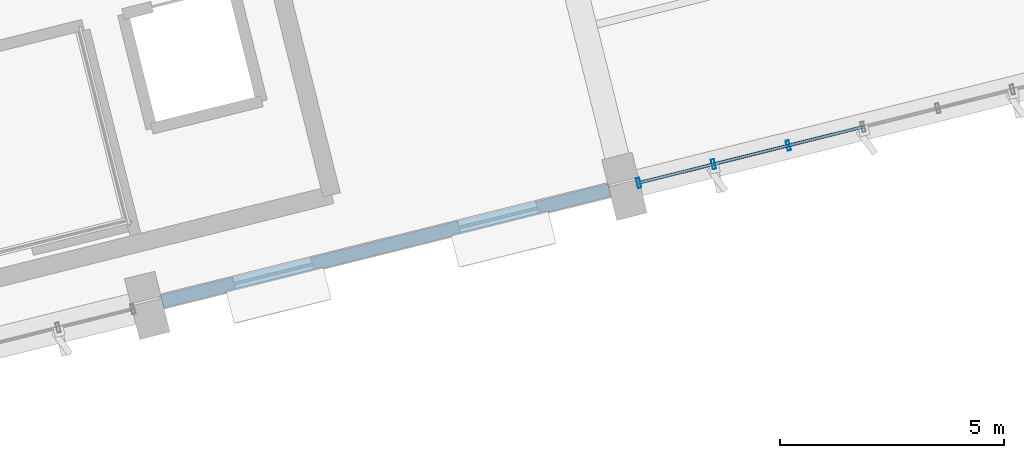
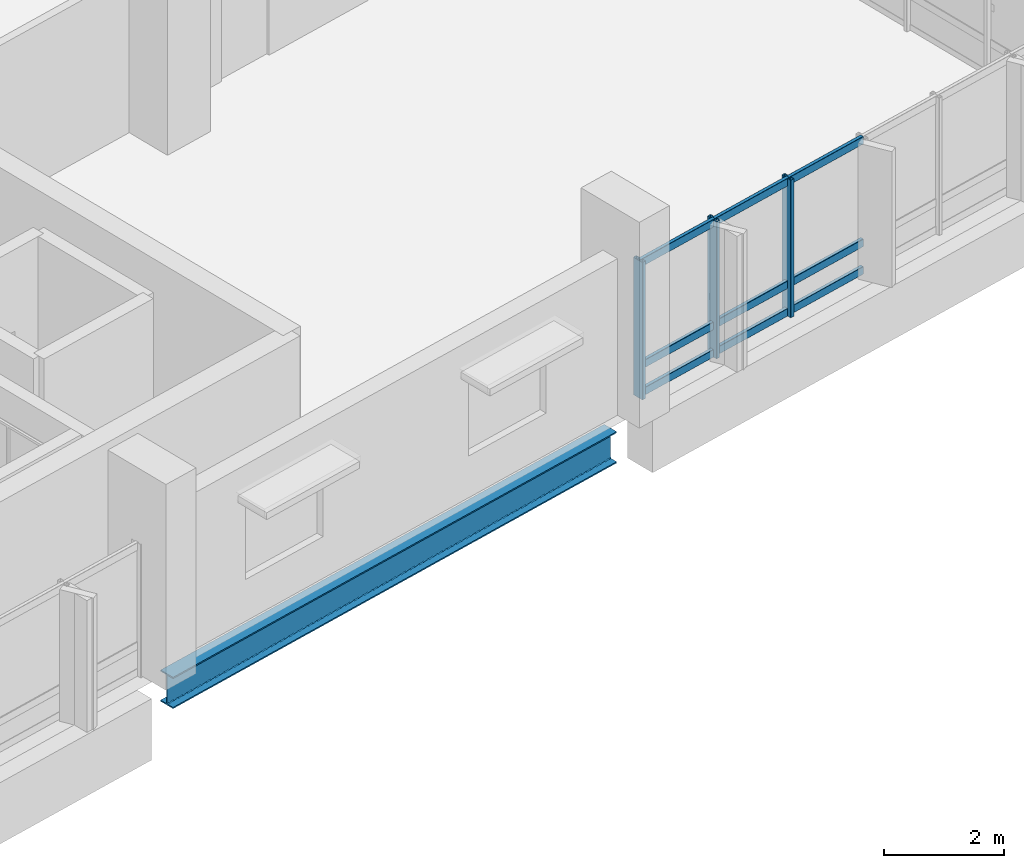
# One storey, part 33 of 75: 12 members, 1 beam, 1 element without a shape of its own.
"""IFC4 building model written with IfcOpenShell, lengths in metres."""

from ifc_helpers import new_model, si_unit, direction, frame, origin, origin_2d, place, context, subcontext, project, spatial, hollow_rectangle, i_section, extrude, material, layer, layer_set, material_profile, profile_set, type_object, element, aggregate, save


model = new_model("IFC4")

# Units and contexts
model_context = context("Model", 3, precision=1e-05, world=origin(), true_north=direction((0.0, 1.0)))
body_context = subcontext(model_context, "Body", "Model", "MODEL_VIEW")
ifc_project = project(units=[si_unit("LENGTHUNIT", "METRE"), si_unit("AREAUNIT", "SQUARE_METRE"), si_unit("VOLUMEUNIT", "CUBIC_METRE"), si_unit("PLANEANGLEUNIT", "RADIAN"), si_unit("MASSUNIT", "GRAM", prefix="KILO")], contexts=[model_context])

# Site, building, storey
site_placement = place(None, origin())
site = spatial("IfcSite", under=ifc_project, at=site_placement, CompositionType="ELEMENT")
building_placement = place(site_placement, origin())
building = spatial("IfcBuilding", under=site, at=building_placement, Name="Khorjan Park Terminus", CompositionType="ELEMENT")
storey_placement = place(building_placement, frame((0.0, 0.0, 16.2)))
storey = spatial("IfcBuildingStorey", under=building, at=storey_placement, Name="L03", CompositionType="ELEMENT", Elevation=16.2)

# Beam
ifc_material_1 = material(Name="Steel S355", Category="steel")
ifc_material_profile_1 = material_profile(ifc_material_1, i_section(OverallWidth=0.3, OverallDepth=0.64, WebThickness=0.0135, FlangeThickness=0.026, FilletRadius=0.027, at=origin_2d()), Name="HEA 650")
ifc_profile_set_1 = profile_set([ifc_material_profile_1], Name="Steel S355")
beam_type = type_object("IfcBeamType", Name="BM-HEA650", PredefinedType="BEAM", material=ifc_profile_set_1)
beam_placement = place(storey_placement, frame((209.0278, 12.728, -0.67), z_axis=(0.970295784153, 0.241921663468, 0.0), x_axis=(-0.241921663468, 0.970295784153, 0.0)))
element("IfcBeam", 1, at=beam_placement, inside=storey, type_object=beam_type, Name="Primary skew-grid floor girder SB-A65 (L03)", PredefinedType="BEAM", context=body_context, shape_type="SweptSolid", body=[
    extrude(i_section(OverallWidth=0.3, OverallDepth=0.64, WebThickness=0.0135, FlangeThickness=0.026, FilletRadius=0.027, at=origin_2d()), origin(), (0.0, 0.0, 1.0), 10.3099),
])

# Curtain wall, members
ifc_material_2 = material(Name="Anodized Bronze Aluminium", Category="aluminium")
ifc_layer = layer(ifc_material_2, 0.22)
ifc_layer_set = layer_set([ifc_layer], Name="Anodized Bronze Aluminium")
curtain_wall_type = type_object("IfcCurtainWallType", Name="CW-OPS-B", PredefinedType="NOTDEFINED", material=ifc_layer_set)
curtain_wall_placement = place(storey_placement, origin())
curtain_wall = element("IfcCurtainWall", 2, at=curtain_wall_placement, inside=storey, type_object=curtain_wall_type, Name="Unitized curtain wall CW-B (CW-V5-S-L03-B05)", PredefinedType="NOTDEFINED")
ifc_material_profile_2 = material_profile(ifc_material_2, hollow_rectangle(XDim=0.075, YDim=0.225, WallThickness=0.005, InnerFilletRadius=0.005, OuterFilletRadius=0.01, at=origin_2d()), Name="ALM 75x225x5")
ifc_profile_set_2 = profile_set([ifc_material_profile_2], Name="Anodized Bronze Aluminium")
member_type_1 = type_object("IfcMemberType", Name="ML-ALM-225", PredefinedType="MULLION", material=ifc_profile_set_2)
member_1_placement = place(storey_placement, frame((219.6863, 15.3855, -0.035), z_axis=(0.0, 0.0, 1.0), x_axis=(0.970296464407, 0.241918935098, 0.0)))
member_1 = element("IfcMember", 3, at=member_1_placement, type_object=member_type_1, Name="Curtain-wall mullion ML-22 (CW-V5-S-L03-B05-0)", PredefinedType="MULLION", context=body_context, shape_type="SweptSolid", body=[
    extrude(hollow_rectangle(XDim=0.075, YDim=0.225, WallThickness=0.005, InnerFilletRadius=0.005, OuterFilletRadius=0.01, at=origin_2d()), origin(), (0.0, 0.0, 1.0), 2.805),
])
member_2_placement = place(storey_placement, frame((221.3585, 15.8024, -0.035), z_axis=(0.0, 0.0, 1.0), x_axis=(0.970296464407, 0.241918935098, 0.0)))
member_2 = element("IfcMember", 4, at=member_2_placement, type_object=member_type_1, Name="Curtain-wall mullion ML-22 (CW-V5-S-L03-B05-1)", PredefinedType="MULLION", context=body_context, shape_type="SweptSolid", body=[
    extrude(hollow_rectangle(XDim=0.075, YDim=0.225, WallThickness=0.005, InnerFilletRadius=0.005, OuterFilletRadius=0.01, at=origin_2d()), origin(), (0.0, 0.0, 1.0), 2.805),
])
member_3_placement = place(storey_placement, frame((223.0308, 16.2194, -0.035), z_axis=(0.0, 0.0, 1.0), x_axis=(0.970296464407, 0.241918935098, 0.0)))
member_3 = element("IfcMember", 5, at=member_3_placement, type_object=member_type_1, Name="Curtain-wall mullion ML-22 (CW-V5-S-L03-B05-2)", PredefinedType="MULLION", context=body_context, shape_type="SweptSolid", body=[
    extrude(hollow_rectangle(XDim=0.075, YDim=0.225, WallThickness=0.005, InnerFilletRadius=0.005, OuterFilletRadius=0.01, at=origin_2d()), origin(), (0.0, 0.0, 1.0), 2.805),
])
ifc_material_profile_3 = material_profile(ifc_material_2, hollow_rectangle(XDim=0.07, YDim=0.16, WallThickness=0.004, InnerFilletRadius=0.004, OuterFilletRadius=0.008, at=origin_2d()), Name="ALT 70x160x4")
ifc_profile_set_3 = profile_set([ifc_material_profile_3], Name="Anodized Bronze Aluminium")
member_type_2 = type_object("IfcMemberType", Name="TR-ALT-160", PredefinedType="USERDEFINED", material=ifc_profile_set_3)
member_4_placement = place(storey_placement, frame((219.6863, 15.3855, 0.04), z_axis=(0.970299306534, 0.241907535518, 0.0), x_axis=(-0.241907535518, 0.970299306534, 0.0)))
member_4 = element("IfcMember", 6, at=member_4_placement, type_object=member_type_2, Name="Curtain-wall transom TR-16 (CW-V5-S-L03-B05-0-1)", ObjectType="TRANSOM", PredefinedType="USERDEFINED", context=body_context, shape_type="SweptSolid", body=[
    extrude(hollow_rectangle(XDim=0.07, YDim=0.16, WallThickness=0.004, InnerFilletRadius=0.004, OuterFilletRadius=0.008, at=origin_2d()), origin(), (0.0, 0.0, 1.0), 1.7234),
])
member_5_placement = place(storey_placement, frame((219.6863, 15.3855, 0.602), z_axis=(0.970299306534, 0.241907535518, 0.0), x_axis=(-0.241907535518, 0.970299306534, 0.0)))
member_5 = element("IfcMember", 7, at=member_5_placement, type_object=member_type_2, Name="Curtain-wall transom TR-16 (CW-V5-S-L03-B05-0-2)", ObjectType="TRANSOM", PredefinedType="USERDEFINED", context=body_context, shape_type="SweptSolid", body=[
    extrude(hollow_rectangle(XDim=0.07, YDim=0.16, WallThickness=0.004, InnerFilletRadius=0.004, OuterFilletRadius=0.008, at=origin_2d()), origin(), (0.0, 0.0, 1.0), 1.7234),
])
member_6_placement = place(storey_placement, frame((219.6863, 15.3855, 2.695), z_axis=(0.970299306534, 0.241907535518, 0.0), x_axis=(-0.241907535518, 0.970299306534, 0.0)))
member_6 = element("IfcMember", 8, at=member_6_placement, type_object=member_type_2, Name="Curtain-wall transom TR-16 (CW-V5-S-L03-B05-0-3)", ObjectType="TRANSOM", PredefinedType="USERDEFINED", context=body_context, shape_type="SweptSolid", body=[
    extrude(hollow_rectangle(XDim=0.07, YDim=0.16, WallThickness=0.004, InnerFilletRadius=0.004, OuterFilletRadius=0.008, at=origin_2d()), origin(), (0.0, 0.0, 1.0), 1.7234),
])
member_7_placement = place(storey_placement, frame((221.3585, 15.8024, 0.04), z_axis=(0.970289082125, 0.241948542275, 0.0), x_axis=(-0.241948542275, 0.970289082125, 0.0)))
member_7 = element("IfcMember", 9, at=member_7_placement, type_object=member_type_2, Name="Curtain-wall transom TR-16 (CW-V5-S-L03-B05-1-1)", ObjectType="TRANSOM", PredefinedType="USERDEFINED", context=body_context, shape_type="SweptSolid", body=[
    extrude(hollow_rectangle(XDim=0.07, YDim=0.16, WallThickness=0.004, InnerFilletRadius=0.004, OuterFilletRadius=0.008, at=origin_2d()), origin(), (0.0, 0.0, 1.0), 1.7235),
])
member_8_placement = place(storey_placement, frame((221.3585, 15.8024, 0.602), z_axis=(0.970289082125, 0.241948542275, 0.0), x_axis=(-0.241948542275, 0.970289082125, 0.0)))
member_8 = element("IfcMember", 10, at=member_8_placement, type_object=member_type_2, Name="Curtain-wall transom TR-16 (CW-V5-S-L03-B05-1-2)", ObjectType="TRANSOM", PredefinedType="USERDEFINED", context=body_context, shape_type="SweptSolid", body=[
    extrude(hollow_rectangle(XDim=0.07, YDim=0.16, WallThickness=0.004, InnerFilletRadius=0.004, OuterFilletRadius=0.008, at=origin_2d()), origin(), (0.0, 0.0, 1.0), 1.7235),
])
member_9_placement = place(storey_placement, frame((221.3585, 15.8024, 2.695), z_axis=(0.970289082125, 0.241948542275, 0.0), x_axis=(-0.241948542275, 0.970289082125, 0.0)))
member_9 = element("IfcMember", 11, at=member_9_placement, type_object=member_type_2, Name="Curtain-wall transom TR-16 (CW-V5-S-L03-B05-1-3)", ObjectType="TRANSOM", PredefinedType="USERDEFINED", context=body_context, shape_type="SweptSolid", body=[
    extrude(hollow_rectangle(XDim=0.07, YDim=0.16, WallThickness=0.004, InnerFilletRadius=0.004, OuterFilletRadius=0.008, at=origin_2d()), origin(), (0.0, 0.0, 1.0), 1.7235),
])
member_10_placement = place(storey_placement, frame((223.0308, 16.2194, 0.04), z_axis=(0.970299306534, 0.241907535518, 0.0), x_axis=(-0.241907535518, 0.970299306534, 0.0)))
member_10 = element("IfcMember", 12, at=member_10_placement, type_object=member_type_2, Name="Curtain-wall transom TR-16 (CW-V5-S-L03-B05-2-1)", ObjectType="TRANSOM", PredefinedType="USERDEFINED", context=body_context, shape_type="SweptSolid", body=[
    extrude(hollow_rectangle(XDim=0.07, YDim=0.16, WallThickness=0.004, InnerFilletRadius=0.004, OuterFilletRadius=0.008, at=origin_2d()), origin(), (0.0, 0.0, 1.0), 1.7234),
])
member_11_placement = place(storey_placement, frame((223.0308, 16.2194, 0.602), z_axis=(0.970299306534, 0.241907535518, 0.0), x_axis=(-0.241907535518, 0.970299306534, 0.0)))
member_11 = element("IfcMember", 13, at=member_11_placement, type_object=member_type_2, Name="Curtain-wall transom TR-16 (CW-V5-S-L03-B05-2-2)", ObjectType="TRANSOM", PredefinedType="USERDEFINED", context=body_context, shape_type="SweptSolid", body=[
    extrude(hollow_rectangle(XDim=0.07, YDim=0.16, WallThickness=0.004, InnerFilletRadius=0.004, OuterFilletRadius=0.008, at=origin_2d()), origin(), (0.0, 0.0, 1.0), 1.7234),
])
member_12_placement = place(storey_placement, frame((223.0308, 16.2194, 2.695), z_axis=(0.970299306534, 0.241907535518, 0.0), x_axis=(-0.241907535518, 0.970299306534, 0.0)))
member_12 = element("IfcMember", 14, at=member_12_placement, type_object=member_type_2, Name="Curtain-wall transom TR-16 (CW-V5-S-L03-B05-2-3)", ObjectType="TRANSOM", PredefinedType="USERDEFINED", context=body_context, shape_type="SweptSolid", body=[
    extrude(hollow_rectangle(XDim=0.07, YDim=0.16, WallThickness=0.004, InnerFilletRadius=0.004, OuterFilletRadius=0.008, at=origin_2d()), origin(), (0.0, 0.0, 1.0), 1.7234),
])
aggregate(curtain_wall, [member_1, member_2, member_3, member_4, member_5, member_6, member_7, member_8, member_9, member_10, member_11, member_12])

save(model, "model.ifc")
